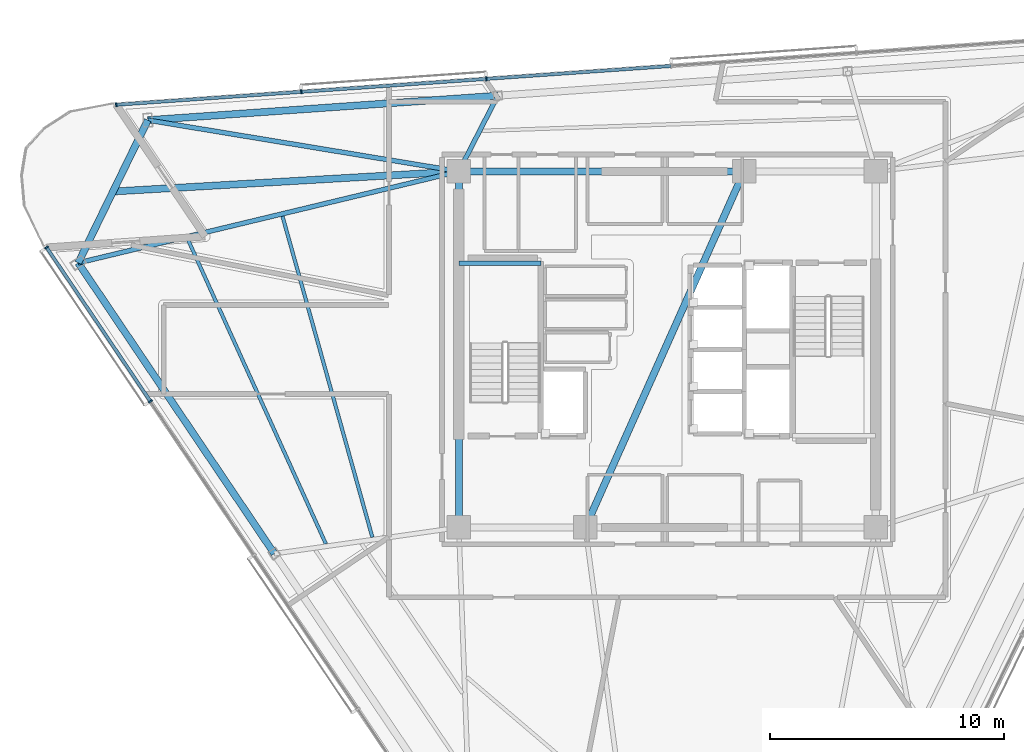
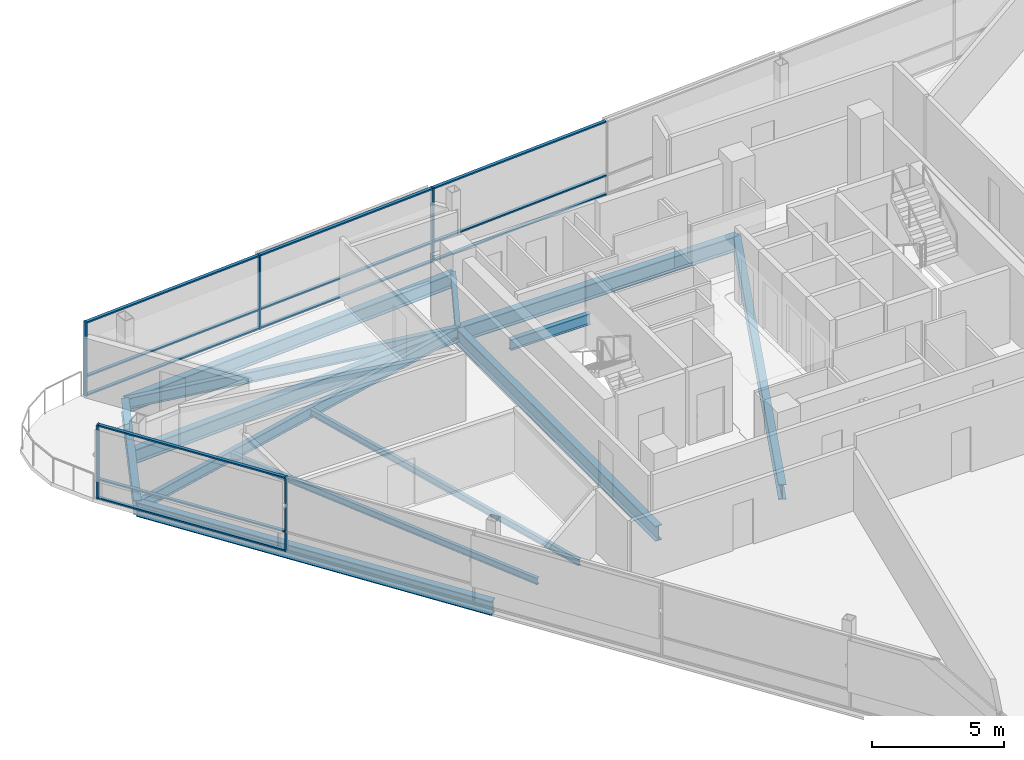
# One storey, part 5 of 16: 17 members, 13 beams, 2 elements without a shape of their own.
"""IFC4 building model written with IfcOpenShell, lengths in metres."""

from ifc_helpers import new_model, si_unit, direction, frame, origin, origin_2d, place, context, subcontext, project, spatial, rectangle, i_section, extrude, material, layer, layer_set, material_profile, profile_set, type_object, element, aggregate, save


model = new_model("IFC4")

# Units and contexts
model_context = context("Model", 3, precision=1e-05, world=origin(), true_north=direction((0.0, 1.0)))
body_context = subcontext(model_context, "Body", "Model", "MODEL_VIEW")
ifc_project = project(units=[si_unit("LENGTHUNIT", "METRE"), si_unit("AREAUNIT", "SQUARE_METRE"), si_unit("VOLUMEUNIT", "CUBIC_METRE"), si_unit("PLANEANGLEUNIT", "RADIAN"), si_unit("MASSUNIT", "GRAM", prefix="KILO")], contexts=[model_context])

# Site, building, storey
site_placement = place(None, origin())
site = spatial("IfcSite", under=ifc_project, at=site_placement, CompositionType="ELEMENT")
building_placement = place(site_placement, origin())
building = spatial("IfcBuilding", under=site, at=building_placement, Name="Tharavind Bronze Gate", CompositionType="ELEMENT")
storey_placement = place(building_placement, frame((0.0, 0.0, 264.199951171875)))
storey = spatial("IfcBuildingStorey", under=building, at=storey_placement, Name="L68", CompositionType="ELEMENT", Elevation=264.199951171875)

# Curtain wall, members
ifc_material_1 = material(Name="Anodised Bronze Aluminium", Category="aluminium")
ifc_layer = layer(ifc_material_1, 0.219970703125)
ifc_layer_set = layer_set([ifc_layer], Name="Anodised Bronze Aluminium")
curtain_wall_type = type_object("IfcCurtainWallType", Name="UNITISED CURTAIN WALL UPPER OFFICE", PredefinedType="USERDEFINED", material=ifc_layer_set)
curtain_wall_1_placement = place(storey_placement, origin())
curtain_wall_1 = element("IfcCurtainWall", 1, at=curtain_wall_1_placement, inside=storey, type_object=curtain_wall_type, Name="L68 unitised curtain wall upper office CW-L68-S1", ObjectType="UNITISED CURTAIN WALL", PredefinedType="USERDEFINED")
member_type_1 = type_object("IfcMemberType", Name="CURTAIN WALL BRONZE MULLION 65X180", PredefinedType="MULLION", material=ifc_material_1)
member_1_placement = place(storey_placement, frame((-26.498046875, 4.352294921875, 0.0), z_axis=(0.0, 0.0, 1.0), x_axis=(0.559191456526, -0.82903854853, 0.0)))
member_1 = element("IfcMember", 2, at=member_1_placement, type_object=member_type_1, Name="CW-L68-S1 mullion 1", PredefinedType="MULLION", context=body_context, shape_type="SweptSolid", body=[
    extrude(rectangle(XDim=0.06494140625, YDim=0.179931640625, at=origin_2d()), origin(), (0.0, 0.0, 1.0), 3.419921875),
])
member_2_placement = place(storey_placement, frame((-22.069091796875, -2.214111328125, 0.0), z_axis=(0.0, 0.0, 1.0), x_axis=(0.559191456526, -0.82903854853, 0.0)))
member_2 = element("IfcMember", 3, at=member_2_placement, type_object=member_type_1, Name="CW-L68-S1 mullion 2", PredefinedType="MULLION", context=body_context, shape_type="SweptSolid", body=[
    extrude(rectangle(XDim=0.06494140625, YDim=0.179931640625, at=origin_2d()), origin(), (0.0, 0.0, 1.0), 3.419921875),
])

curtain_wall_2_placement = place(storey_placement, origin())
curtain_wall_2 = element("IfcCurtainWall", 4, at=curtain_wall_2_placement, inside=storey, type_object=curtain_wall_type, Name="L68 unitised curtain wall upper office CW-L68-S3", ObjectType="UNITISED CURTAIN WALL", PredefinedType="USERDEFINED")
member_3_placement = place(storey_placement, frame((-7.7236328125, 11.551025390625, 0.0), z_axis=(0.0, 0.0, 1.0), x_axis=(-0.997563806758, -0.069759955899, 0.0)))
member_3 = element("IfcMember", 5, at=member_3_placement, type_object=member_type_1, Name="CW-L68-S3 mullion 5", PredefinedType="MULLION", context=body_context, shape_type="SweptSolid", body=[
    extrude(rectangle(XDim=0.06494140625, YDim=0.179931640625, at=origin_2d()), origin(), (0.0, 0.0, 1.0), 3.419921875),
])
member_4_placement = place(storey_placement, frame((-15.624755859375, 10.99853515625, 0.0), z_axis=(0.0, 0.0, 1.0), x_axis=(-0.997563806758, -0.069759955899, 0.0)))
member_4 = element("IfcMember", 6, at=member_4_placement, type_object=member_type_1, Name="CW-L68-S3 mullion 6", PredefinedType="MULLION", context=body_context, shape_type="SweptSolid", body=[
    extrude(rectangle(XDim=0.06494140625, YDim=0.179931640625, at=origin_2d()), origin(), (0.0, 0.0, 1.0), 3.419921875),
])
member_5_placement = place(storey_placement, frame((-23.52587890625, 10.446044921875, 0.0), z_axis=(0.0, 0.0, 1.0), x_axis=(-0.997563806758, -0.069759955899, 0.0)))
member_5 = element("IfcMember", 7, at=member_5_placement, type_object=member_type_1, Name="CW-L68-S3 mullion 7", PredefinedType="MULLION", context=body_context, shape_type="SweptSolid", body=[
    extrude(rectangle(XDim=0.06494140625, YDim=0.179931640625, at=origin_2d()), origin(), (0.0, 0.0, 1.0), 3.419921875),
])

# Member
member_type_2 = type_object("IfcMemberType", Name="CURTAIN WALL BRONZE TRANSOM 65X140", PredefinedType="USERDEFINED", material=ifc_material_1)
member_6_placement = place(storey_placement, frame((-24.283447265625, 1.069091796875, 0.0), z_axis=(0.0, 0.0, 1.0), x_axis=(0.559191456526, -0.82903854853, 0.0)))
member_6 = element("IfcMember", 8, at=member_6_placement, type_object=member_type_2, Name="CW-L68-S1 transom TB1", ObjectType="TRANSOM", PredefinedType="USERDEFINED", context=body_context, shape_type="SweptSolid", body=[
    extrude(rectangle(XDim=7.8671875, YDim=0.139892578125, at=origin_2d()), origin(), (0.0, 0.0, 1.0), 0.06494140625),
])

member_7_placement = place(storey_placement, frame((-24.283447265625, 1.069091796875, 0.86767578125), z_axis=(0.0, 0.0, 1.0), x_axis=(0.559191456526, -0.82903854853, 0.0)))
member_7 = element("IfcMember", 9, at=member_7_placement, type_object=member_type_2, Name="CW-L68-S1 transom TS1", ObjectType="TRANSOM", PredefinedType="USERDEFINED", context=body_context, shape_type="SweptSolid", body=[
    extrude(rectangle(XDim=7.8671875, YDim=0.139892578125, at=origin_2d()), origin(), (0.0, 0.0, 1.0), 0.06494140625),
])

member_8_placement = place(storey_placement, frame((-24.283447265625, 1.069091796875, 3.35498046875), z_axis=(0.0, 0.0, 1.0), x_axis=(0.559191456526, -0.82903854853, 0.0)))
member_8 = element("IfcMember", 10, at=member_8_placement, type_object=member_type_2, Name="CW-L68-S1 transom TT1", ObjectType="TRANSOM", PredefinedType="USERDEFINED", context=body_context, shape_type="SweptSolid", body=[
    extrude(rectangle(XDim=7.8671875, YDim=0.139892578125, at=origin_2d()), origin(), (0.0, 0.0, 1.0), 0.06494140625),
])

aggregate(curtain_wall_1, [member_1, member_2, member_6, member_7, member_8])

member_9_placement = place(storey_placement, frame((-3.773193359375, 11.827392578125, 0.0), z_axis=(0.0, 0.0, 1.0), x_axis=(-0.997563806758, -0.069759955899, 0.0)))
member_9 = element("IfcMember", 11, at=member_9_placement, type_object=member_type_2, Name="CW-L68-S3 transom TB4", ObjectType="TRANSOM", PredefinedType="USERDEFINED", context=body_context, shape_type="SweptSolid", body=[
    extrude(rectangle(XDim=7.8671875, YDim=0.139892578125, at=origin_2d()), origin(), (0.0, 0.0, 1.0), 0.06494140625),
])

member_10_placement = place(storey_placement, frame((-3.773193359375, 11.827392578125, 0.86767578125), z_axis=(0.0, 0.0, 1.0), x_axis=(-0.997563806758, -0.069759955899, 0.0)))
member_10 = element("IfcMember", 12, at=member_10_placement, type_object=member_type_2, Name="CW-L68-S3 transom TS4", ObjectType="TRANSOM", PredefinedType="USERDEFINED", context=body_context, shape_type="SweptSolid", body=[
    extrude(rectangle(XDim=7.8671875, YDim=0.139892578125, at=origin_2d()), origin(), (0.0, 0.0, 1.0), 0.06494140625),
])

member_11_placement = place(storey_placement, frame((-3.773193359375, 11.827392578125, 3.35498046875), z_axis=(0.0, 0.0, 1.0), x_axis=(-0.997563806758, -0.069759955899, 0.0)))
member_11 = element("IfcMember", 13, at=member_11_placement, type_object=member_type_2, Name="CW-L68-S3 transom TT4", ObjectType="TRANSOM", PredefinedType="USERDEFINED", context=body_context, shape_type="SweptSolid", body=[
    extrude(rectangle(XDim=7.8671875, YDim=0.139892578125, at=origin_2d()), origin(), (0.0, 0.0, 1.0), 0.06494140625),
])

member_12_placement = place(storey_placement, frame((-11.67431640625, 11.27490234375, 0.0), z_axis=(0.0, 0.0, 1.0), x_axis=(-0.997563806758, -0.069759955899, 0.0)))
member_12 = element("IfcMember", 14, at=member_12_placement, type_object=member_type_2, Name="CW-L68-S3 transom TB5", ObjectType="TRANSOM", PredefinedType="USERDEFINED", context=body_context, shape_type="SweptSolid", body=[
    extrude(rectangle(XDim=7.8671875, YDim=0.139892578125, at=origin_2d()), origin(), (0.0, 0.0, 1.0), 0.06494140625),
])

member_13_placement = place(storey_placement, frame((-11.67431640625, 11.27490234375, 0.86767578125), z_axis=(0.0, 0.0, 1.0), x_axis=(-0.997563806758, -0.069759955899, 0.0)))
member_13 = element("IfcMember", 15, at=member_13_placement, type_object=member_type_2, Name="CW-L68-S3 transom TS5", ObjectType="TRANSOM", PredefinedType="USERDEFINED", context=body_context, shape_type="SweptSolid", body=[
    extrude(rectangle(XDim=7.8671875, YDim=0.139892578125, at=origin_2d()), origin(), (0.0, 0.0, 1.0), 0.06494140625),
])

member_14_placement = place(storey_placement, frame((-11.67431640625, 11.27490234375, 3.35498046875), z_axis=(0.0, 0.0, 1.0), x_axis=(-0.997563806758, -0.069759955899, 0.0)))
member_14 = element("IfcMember", 16, at=member_14_placement, type_object=member_type_2, Name="CW-L68-S3 transom TT5", ObjectType="TRANSOM", PredefinedType="USERDEFINED", context=body_context, shape_type="SweptSolid", body=[
    extrude(rectangle(XDim=7.8671875, YDim=0.139892578125, at=origin_2d()), origin(), (0.0, 0.0, 1.0), 0.06494140625),
])

member_15_placement = place(storey_placement, frame((-19.5751953125, 10.722412109375, 0.0), z_axis=(0.0, 0.0, 1.0), x_axis=(-0.997563806758, -0.069759955899, 0.0)))
member_15 = element("IfcMember", 17, at=member_15_placement, type_object=member_type_2, Name="CW-L68-S3 transom TB6", ObjectType="TRANSOM", PredefinedType="USERDEFINED", context=body_context, shape_type="SweptSolid", body=[
    extrude(rectangle(XDim=7.8671875, YDim=0.139892578125, at=origin_2d()), origin(), (0.0, 0.0, 1.0), 0.06494140625),
])

member_16_placement = place(storey_placement, frame((-19.5751953125, 10.722412109375, 0.86767578125), z_axis=(0.0, 0.0, 1.0), x_axis=(-0.997563806758, -0.069759955899, 0.0)))
member_16 = element("IfcMember", 18, at=member_16_placement, type_object=member_type_2, Name="CW-L68-S3 transom TS6", ObjectType="TRANSOM", PredefinedType="USERDEFINED", context=body_context, shape_type="SweptSolid", body=[
    extrude(rectangle(XDim=7.8671875, YDim=0.139892578125, at=origin_2d()), origin(), (0.0, 0.0, 1.0), 0.06494140625),
])

member_17_placement = place(storey_placement, frame((-19.5751953125, 10.722412109375, 3.35498046875), z_axis=(0.0, 0.0, 1.0), x_axis=(-0.997563806758, -0.069759955899, 0.0)))
member_17 = element("IfcMember", 19, at=member_17_placement, type_object=member_type_2, Name="CW-L68-S3 transom TT6", ObjectType="TRANSOM", PredefinedType="USERDEFINED", context=body_context, shape_type="SweptSolid", body=[
    extrude(rectangle(XDim=7.8671875, YDim=0.139892578125, at=origin_2d()), origin(), (0.0, 0.0, 1.0), 0.06494140625),
])

aggregate(curtain_wall_2, [member_3, member_4, member_5, member_9, member_10, member_11, member_12, member_13, member_14, member_15, member_16, member_17])

# Beams
ifc_material_2 = material(Name="Steel S355", Category="steel")
ifc_material_profile_1 = material_profile(ifc_material_2, i_section(OverallWidth=0.300048828125, OverallDepth=0.64990234375, WebThickness=0.01611328125, FlangeThickness=0.031005859375, at=origin_2d()), Name="HE650B")
ifc_profile_set_1 = profile_set([ifc_material_profile_1], Name="Steel S355")
beam_type_1 = type_object("IfcBeamType", Name="PRIMARY GIRDER HE650B", PredefinedType="USERDEFINED", material=ifc_profile_set_1)
beam_1_placement = place(storey_placement, frame((-25.14990234375, 3.694580078125, -0.5048828125), z_axis=(0.559195614283, -0.829035744083, 0.0), x_axis=(0.829035744083, 0.559195614283, 0.0)))
element("IfcBeam", 20, at=beam_1_placement, inside=storey, type_object=beam_type_1, Name="L68 primary girder he650b BM-L68-PRG01", ObjectType="GIRDER", PredefinedType="USERDEFINED", context=body_context, shape_type="SweptSolid", body=[
    extrude(i_section(OverallWidth=0.300048828125, OverallDepth=0.64990234375, WebThickness=0.01611328125, FlangeThickness=0.031005859375, at=origin_2d()), origin(), (0.0, 0.0, 1.0), 14.974609375),
])
beam_2_placement = place(storey_placement, frame((-7.239501953125, 10.8330078125, -0.5048828125), z_axis=(-0.997564665038, -0.069747681447, 0.0), x_axis=(0.069747681447, -0.997564665038, 0.0)))
element("IfcBeam", 21, at=beam_2_placement, inside=storey, type_object=beam_type_1, Name="L68 primary girder he650b BM-L68-PRG11", ObjectType="GIRDER", PredefinedType="USERDEFINED", context=body_context, shape_type="SweptSolid", body=[
    extrude(i_section(OverallWidth=0.300048828125, OverallDepth=0.64990234375, WebThickness=0.01611328125, FlangeThickness=0.031005859375, at=origin_2d()), origin(), (0.0, 0.0, 1.0), 14.974365234375),
])
beam_3_placement = place(storey_placement, frame((-22.177490234375, 9.78857421875, -0.5048828125), z_axis=(-0.438391707719, -0.898784017772, 0.0), x_axis=(0.898784017772, -0.438391707719, 0.0)))
element("IfcBeam", 22, at=beam_3_placement, inside=storey, type_object=beam_type_1, Name="L68 primary girder he650b BM-L68-PRG12", ObjectType="GIRDER", PredefinedType="USERDEFINED", context=body_context, shape_type="SweptSolid", body=[
    extrude(i_section(OverallWidth=0.300048828125, OverallDepth=0.64990234375, WebThickness=0.01611328125, FlangeThickness=0.031005859375, at=origin_2d()), origin(), (0.0, 0.0, 1.0), 6.7802734375),
])
beam_4_placement = place(storey_placement, frame((-8.89990234375, 7.60009765625, -0.5048828125), z_axis=(-0.998314047526, -0.058043625934, 0.0), x_axis=(0.058043625934, -0.998314047526, 0.0)))
element("IfcBeam", 23, at=beam_4_placement, inside=storey, type_object=beam_type_1, Name="L68 primary girder he650b BM-L68-BLCSB", ObjectType="GIRDER", PredefinedType="USERDEFINED", context=body_context, shape_type="SweptSolid", body=[
    extrude(i_section(OverallWidth=0.300048828125, OverallDepth=0.64990234375, WebThickness=0.01611328125, FlangeThickness=0.031005859375, at=origin_2d()), origin(), (0.0, 0.0, 1.0), 14.788818359375),
])
ifc_material_profile_2 = material_profile(ifc_material_2, i_section(OverallWidth=0.199951171875, OverallDepth=0.5, WebThickness=0.01025390625, FlangeThickness=0.01611328125, at=origin_2d()), Name="IPE500")
ifc_profile_set_2 = profile_set([ifc_material_profile_2], Name="Steel S355")
beam_type_2 = type_object("IfcBeamType", Name="PRIMARY GIRDER IPE500", PredefinedType="USERDEFINED", material=ifc_profile_set_2)
beam_5_placement = place(storey_placement, frame((-8.89990234375, 3.679931640625, 1.35009765625), z_axis=(1.0, 0.0, 0.0), x_axis=(0.0, 1.0, 0.0)))
element("IfcBeam", 24, at=beam_5_placement, inside=storey, type_object=beam_type_2, Name="L68 primary girder ipe500 BM-LD-ST1-L68-1", ObjectType="GIRDER", PredefinedType="USERDEFINED", context=body_context, shape_type="SweptSolid", body=[
    extrude(i_section(OverallWidth=0.199951171875, OverallDepth=0.5, WebThickness=0.01025390625, FlangeThickness=0.01611328125, at=origin_2d()), origin(), (0.0, 0.0, 1.0), 3.5),
])
beam_6_placement = place(storey_placement, frame((-25.14990234375, 3.694580078125, -0.429931640625), z_axis=(0.97231233309, 0.23368510205, 0.0), x_axis=(-0.23368510205, 0.97231233309, 0.0)))
element("IfcBeam", 25, at=beam_6_placement, inside=storey, type_object=beam_type_2, Name="L68 primary girder ipe500 BM-L68-RAD01", ObjectType="GIRDER", PredefinedType="USERDEFINED", context=body_context, shape_type="SweptSolid", body=[
    extrude(i_section(OverallWidth=0.199951171875, OverallDepth=0.5, WebThickness=0.01025390625, FlangeThickness=0.01611328125, at=origin_2d()), origin(), (0.0, 0.0, 1.0), 16.712646484375),
])
beam_7_placement = place(storey_placement, frame((-7.239501953125, 10.8330078125, -0.429931640625), z_axis=(-0.45686071546, -0.889538243511, 0.0), x_axis=(0.889538243511, -0.45686071546, 0.0)))
element("IfcBeam", 26, at=beam_7_placement, inside=storey, type_object=beam_type_2, Name="L68 primary girder ipe500 BM-L68-RAD11", ObjectType="GIRDER", PredefinedType="USERDEFINED", context=body_context, shape_type="SweptSolid", body=[
    extrude(i_section(OverallWidth=0.199951171875, OverallDepth=0.5, WebThickness=0.01025390625, FlangeThickness=0.01611328125, at=origin_2d()), origin(), (0.0, 0.0, 1.0), 3.63427734375),
])
beam_8_placement = place(storey_placement, frame((-22.177490234375, 9.78857421875, -0.429931640625), z_axis=(0.986687034236, -0.16263055208, 0.0), x_axis=(0.16263055208, 0.986687034236, 0.0)))
element("IfcBeam", 27, at=beam_8_placement, inside=storey, type_object=beam_type_2, Name="L68 primary girder ipe500 BM-L68-RAD12", ObjectType="GIRDER", PredefinedType="USERDEFINED", context=body_context, shape_type="SweptSolid", body=[
    extrude(i_section(OverallWidth=0.199951171875, OverallDepth=0.5, WebThickness=0.01025390625, FlangeThickness=0.01611328125, at=origin_2d()), origin(), (0.0, 0.0, 1.0), 13.456787109375),
])
ifc_material_profile_3 = material_profile(ifc_material_2, i_section(OverallWidth=0.300048828125, OverallDepth=0.699951171875, WebThickness=0.01708984375, FlangeThickness=0.031982421875, at=origin_2d()), Name="HE700B")
ifc_profile_set_3 = profile_set([ifc_material_profile_3], Name="Steel S355")
beam_type_3 = type_object("IfcBeamType", Name="RING GIRDER HE700B", PredefinedType="USERDEFINED", material=ifc_profile_set_3)
beam_9_placement = place(storey_placement, frame((3.280029296875, 7.60009765625, -0.530029296875), z_axis=(-1.0, 0.0, 0.0), x_axis=(0.0, -1.0, 0.0)))
element("IfcBeam", 28, at=beam_9_placement, inside=storey, type_object=beam_type_3, Name="L68 ring girder he700b BM-L68-CR5", ObjectType="GIRDER", PredefinedType="USERDEFINED", context=body_context, shape_type="SweptSolid", body=[
    extrude(i_section(OverallWidth=0.300048828125, OverallDepth=0.699951171875, WebThickness=0.01708984375, FlangeThickness=0.031982421875, at=origin_2d()), origin(), (0.0, 0.0, 1.0), 12.179931640625),
])
beam_10_placement = place(storey_placement, frame((-8.89990234375, 7.60009765625, -0.530029296875), z_axis=(0.0, -1.0, 0.0), x_axis=(1.0, 0.0, 0.0)))
element("IfcBeam", 29, at=beam_10_placement, inside=storey, type_object=beam_type_3, Name="L68 ring girder he700b BM-L68-CR6", ObjectType="GIRDER", PredefinedType="USERDEFINED", context=body_context, shape_type="SweptSolid", body=[
    extrude(i_section(OverallWidth=0.300048828125, OverallDepth=0.699951171875, WebThickness=0.01708984375, FlangeThickness=0.031982421875, at=origin_2d()), origin(), (0.0, 0.0, 1.0), 15.2001953125),
])
beam_11_placement = place(storey_placement, frame((-3.5, -7.60009765625, -0.530029296875), z_axis=(0.407361644566, 0.913266932795, 0.0), x_axis=(-0.913266932795, 0.407361644566, 0.0)))
element("IfcBeam", 30, at=beam_11_placement, inside=storey, type_object=beam_type_3, Name="L68 ring girder he700b BM-L68-CR7", ObjectType="GIRDER", PredefinedType="USERDEFINED", context=body_context, shape_type="SweptSolid", body=[
    extrude(i_section(OverallWidth=0.300048828125, OverallDepth=0.699951171875, WebThickness=0.01708984375, FlangeThickness=0.031982421875, at=origin_2d()), origin(), (0.0, 0.0, 1.0), 16.643798828125),
])
ifc_material_profile_4 = material_profile(ifc_material_2, i_section(OverallWidth=0.14990234375, OverallDepth=0.300048828125, WebThickness=0.007080078125, FlangeThickness=0.0107421875, at=origin_2d()), Name="IPE300")
ifc_profile_set_4 = profile_set([ifc_material_profile_4], Name="Steel S355")
beam_type_4 = type_object("IfcBeamType", Name="SECONDARY FLOOR JOIST IPE300", PredefinedType="JOIST", material=ifc_profile_set_4)
beam_12_placement = place(storey_placement, frame((-16.427978515625, 5.683837890625, -0.329833984375), z_axis=(0.26963947071, -0.96296134701, 0.0), x_axis=(0.96296134701, 0.26963947071, 0.0)))
element("IfcBeam", 31, at=beam_12_placement, inside=storey, type_object=beam_type_4, Name="L68 secondary floor joist ipe300 BM-L68-JSTA01", PredefinedType="JOIST", context=body_context, shape_type="SweptSolid", body=[
    extrude(i_section(OverallWidth=0.14990234375, OverallDepth=0.300048828125, WebThickness=0.007080078125, FlangeThickness=0.0107421875, at=origin_2d()), origin(), (0.0, 0.0, 1.0), 14.230712890625),
])
beam_13_placement = place(storey_placement, frame((-20.47509765625, 4.711181640625, -0.329833984375), z_axis=(0.412859068065, -0.910794921987, 0.0), x_axis=(0.910794921987, 0.412859068065, 0.0)))
element("IfcBeam", 32, at=beam_13_placement, inside=storey, type_object=beam_type_4, Name="L68 secondary floor joist ipe300 BM-L68-JSTB01", PredefinedType="JOIST", context=body_context, shape_type="SweptSolid", body=[
    extrude(i_section(OverallWidth=0.14990234375, OverallDepth=0.300048828125, WebThickness=0.007080078125, FlangeThickness=0.0107421875, at=origin_2d()), origin(), (0.0, 0.0, 1.0), 14.2880859375),
])

save(model, "model.ifc")
